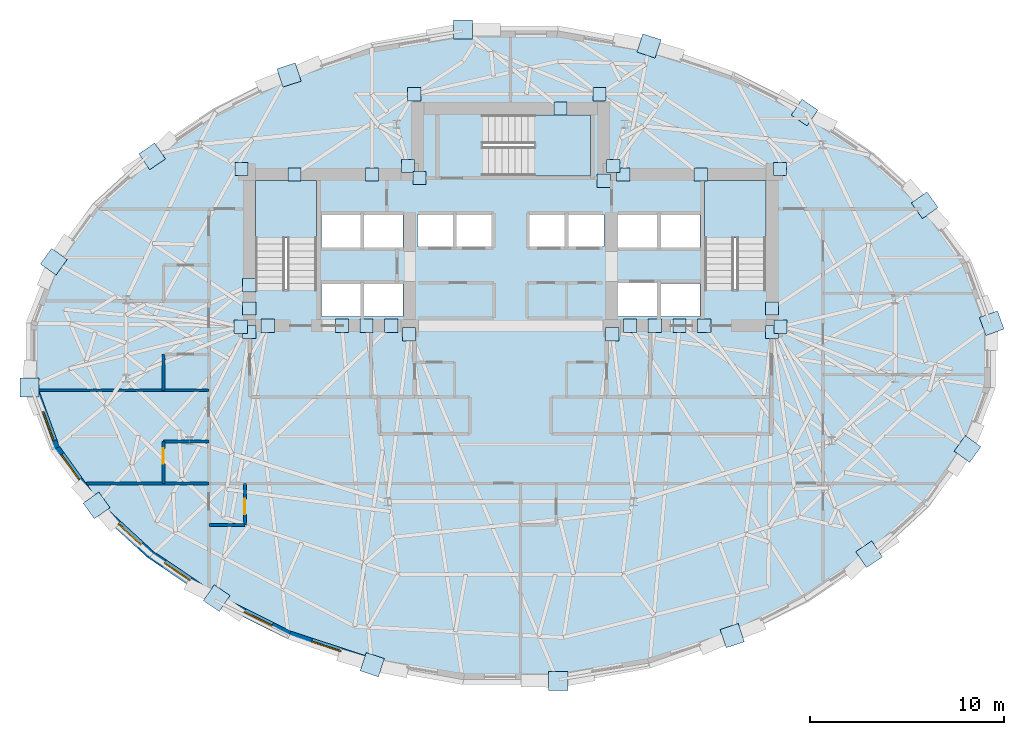
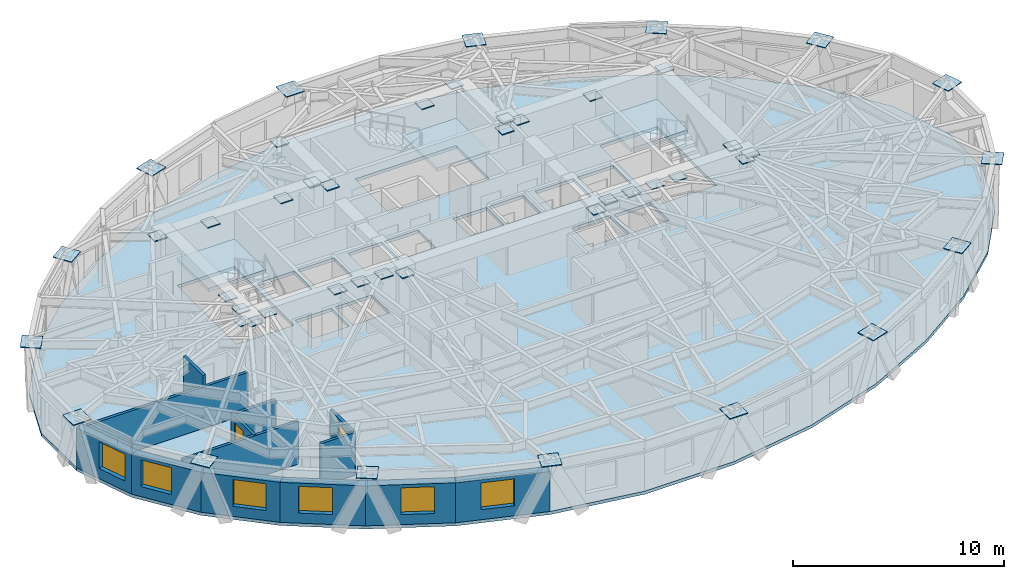
# One storey, part 5 of 14: 46 plates, 13 walls, 6 windows, 4 slabs, 2 doors, 8 openings, 3 elements without a shape of their own.
"""IFC4 building model written with IfcOpenShell, lengths in metres."""

from ifc_helpers import new_model, si_unit, direction, frame, frame_2d, origin, origin_2d, place, context, subcontext, project, spatial, polyline, rectangle, outline, extrude, material, layer, layer_set, type_object, element, fill, aggregate, save


model = new_model("IFC4")

# Units and contexts
model_context = context("Model", 3, precision=1e-05, world=origin(), true_north=direction((0.0, 1.0)))
body_context = subcontext(model_context, "Body", "Model", "MODEL_VIEW")
ifc_project = project(units=[si_unit("LENGTHUNIT", "METRE"), si_unit("AREAUNIT", "SQUARE_METRE"), si_unit("VOLUMEUNIT", "CUBIC_METRE"), si_unit("PLANEANGLEUNIT", "RADIAN"), si_unit("MASSUNIT", "GRAM", prefix="KILO")], contexts=[model_context])

# Site, building, storey
site_placement = place(None, origin())
site = spatial("IfcSite", under=ifc_project, at=site_placement, CompositionType="ELEMENT")
building_placement = place(site_placement, origin())
building = spatial("IfcBuilding", under=site, at=building_placement, Name="Keldmark Tower", CompositionType="ELEMENT")
storey_placement = place(building_placement, frame((0.0, 0.0, 172.60009765625)))
storey = spatial("IfcBuildingStorey", under=building, at=storey_placement, Name="L47", CompositionType="ELEMENT", Elevation=172.60009765625)

# Plates
ifc_material_1 = material(Name="Steel ASTM A572 Grade 50", Category="steel")
ifc_layer_1 = layer(ifc_material_1, 0.06005859375)
ifc_layer_set_1 = layer_set([ifc_layer_1], Name="Steel ASTM A572 Grade 50")
plate_type_1 = type_object("IfcPlateType", Name="Belt Truss Kink Node Assembly KN01 60 mm", PredefinedType="USERDEFINED", material=ifc_layer_set_1)
for number, where, z_axis, x_axis, name in (
    (1, (13.91162109375, 1.473388671875, 2.72412109375), (0.0, 0.0, 1.0), (1.0, 0.0, 0.0), "L47 Core Wall Cast-In Embed Plate 1378"),
    (2, (13.878173828125, 9.608154296875, 2.72412109375), (0.0, 0.0, 1.0), (1.0, 0.0, 0.0), "L47 Core Wall Cast-In Embed Plate 1379"),
    (3, (5.28515625, 9.758544921875, 2.72412109375), (0.0, 0.0, 1.0), (1.0, 0.0, 0.0), "L47 Core Wall Cast-In Embed Plate 1380"),
    (4, (-5.28515625, 9.758544921875, 2.72412109375), (0.0, 0.0, 1.0), (1.0, 0.0, 0.0), "L47 Core Wall Cast-In Embed Plate 1381"),
    (5, (-13.878173828125, 9.608154296875, 2.72412109375), (0.0, 0.0, 1.0), (1.0, 0.0, 0.0), "L47 Core Wall Cast-In Embed Plate 1382"),
    (6, (-13.91162109375, 1.473388671875, 2.72412109375), (0.0, 0.0, 1.0), (1.0, 0.0, 0.0), "L47 Core Wall Cast-In Embed Plate 1383"),
    (7, (-5.24072265625, 1.08251953125, 2.72412109375), (0.0, 0.0, 1.0), (1.0, 0.0, 0.0), "L47 Core Wall Cast-In Embed Plate 1384"),
    (8, (5.24072265625, 1.08251953125, 2.72412109375), (0.0, 0.0, 1.0), (1.0, 0.0, 0.0), "L47 Core Wall Cast-In Embed Plate 1385"),
    (9, (4.800048828125, 9.0, 2.72412109375), (0.0, 0.0, 1.0), (1.0, 0.0, 0.0), "L47 Core Wall Cast-In Embed Plate 1386"),
    (10, (-4.699951171875, 9.139892578125, 2.72412109375), (0.0, 0.0, 1.0), (1.0, 0.0, 0.0), "L47 Core Wall Cast-In Embed Plate 1387"),
    (11, (-13.47509765625, 1.199951171875, 2.72412109375), (0.0, 0.0, 1.0), (1.0, 0.0, 0.0), "L47 Core Wall Cast-In Embed Plate 1388"),
    (12, (-7.425048828125, 1.52490234375, 2.72412109375), (0.0, 0.0, 1.0), (1.0, 0.0, 0.0), "L47 Core Wall Cast-In Embed Plate 1389"),
    (13, (7.425048828125, 1.52490234375, 2.72412109375), (0.0, 0.0, 1.0), (1.0, 0.0, 0.0), "L47 Core Wall Cast-In Embed Plate 1390"),
    (14, (13.47509765625, 1.199951171875, 2.72412109375), (0.0, 0.0, 1.0), (1.0, 0.0, 0.0), "L47 Core Wall Cast-In Embed Plate 1391"),
    (15, (-12.52490234375, 1.52490234375, 2.72412109375), (0.0, 0.0, 1.0), (1.0, 0.0, 0.0), "L47 Core Wall Cast-In Embed Plate 1392"),
    (16, (13.47509765625, 2.406982421875, 2.72412109375), (0.0, 0.0, 1.0), (1.0, 0.0, 0.0), "L47 Core Wall Cast-In Embed Plate 1393"),
    (17, (5.80712890625, 9.324951171875, 2.72412109375), (0.0, 0.0, 1.0), (1.0, 0.0, 0.0), "L47 Core Wall Cast-In Embed Plate 1394"),
    (18, (4.58544921875, 13.461181640625, 2.72412109375), (0.0, 0.0, 1.0), (1.0, 0.0, 0.0), "L47 Core Wall Cast-In Embed Plate 1395"),
    (19, (9.8037109375, 9.324951171875, 2.72412109375), (0.0, 0.0, 1.0), (1.0, 0.0, 0.0), "L47 Core Wall Cast-In Embed Plate 1396"),
    (20, (-4.972412109375, 13.461181640625, 2.72412109375), (0.0, 0.0, 1.0), (1.0, 0.0, 0.0), "L47 Core Wall Cast-In Embed Plate 1397"),
    (21, (-11.1357421875, 9.324951171875, 2.72412109375), (0.0, 0.0, 1.0), (1.0, 0.0, 0.0), "L47 Core Wall Cast-In Embed Plate 1398"),
    (22, (-7.139404296875, 9.324951171875, 2.72412109375), (0.0, 0.0, 1.0), (1.0, 0.0, 0.0), "L47 Core Wall Cast-In Embed Plate 1399"),
    (23, (-13.47509765625, 2.406982421875, 2.72412109375), (0.0, 0.0, 1.0), (1.0, 0.0, 0.0), "L47 Core Wall Cast-In Embed Plate 1400"),
    (24, (-13.47509765625, 3.6142578125, 2.72412109375), (0.0, 0.0, 1.0), (1.0, 0.0, 0.0), "L47 Core Wall Cast-In Embed Plate 1401"),
    (25, (-6.14990234375, 1.52490234375, 2.72412109375), (0.0, 0.0, 1.0), (1.0, 0.0, 0.0), "L47 Core Wall Cast-In Embed Plate 1402"),
    (26, (-8.699951171875, 1.52490234375, 2.72412109375), (0.0, 0.0, 1.0), (1.0, 0.0, 0.0), "L47 Core Wall Cast-In Embed Plate 1403"),
    (27, (8.699951171875, 1.52490234375, 2.72412109375), (0.0, 0.0, 1.0), (1.0, 0.0, 0.0), "L47 Core Wall Cast-In Embed Plate 1404"),
    (28, (6.14990234375, 1.52490234375, 2.72412109375), (0.0, 0.0, 1.0), (1.0, 0.0, 0.0), "L47 Core Wall Cast-In Embed Plate 1405"),
    (29, (9.97509765625, 1.52490234375, 2.72412109375), (0.0, 0.0, 1.0), (1.0, 0.0, 0.0), "L47 Core Wall Cast-In Embed Plate 1406"),
    (30, (2.5625, 12.72509765625, 2.72412109375), (0.0, 0.0, 1.0), (1.0, 0.0, 0.0), "L47 Core Wall Cast-In Embed Plate 1407"),
):
    element("IfcPlate", number, at=place(storey_placement, frame(where, z_axis=z_axis, x_axis=x_axis)), inside=storey, type_object=plate_type_1, Name=name, ObjectType="CAP PLATE", PredefinedType="USERDEFINED", context=body_context, shape_type="SweptSolid", body=[
        extrude(rectangle(XDim=0.679931640625, YDim=0.679931640625, at=origin_2d()), origin(), (0.0, 0.0, 1.0), 0.054931640625),
    ])
ifc_material_2 = material(Name="Steel ASTM A572 Grade 50", Category="steel")
ifc_layer_2 = layer(ifc_material_2, 0.044921875)
ifc_layer_set_2 = layer_set([ifc_layer_2], Name="Steel ASTM A572 Grade 50")
plate_type_2 = type_object("IfcPlateType", Name="Diagrid Node Assembly DN04 45 mm", PredefinedType="USERDEFINED", material=ifc_layer_set_2)
for number, where, z_axis, x_axis, name in (
    (31, (24.7958984375, 1.653564453125, 2.87744140625), (0.0, 0.0, 1.0), (-0.342020143326, 0.939692620786, 0.0), "L47 Diagrid Node Assembly 01"),
    (32, (21.343017578125, 7.73681640625, 2.87744140625), (0.0, 0.0, 1.0), (-0.581697151818, 0.813405448449, 0.0), "L47 Diagrid Node Assembly 02"),
    (33, (15.149658203125, 12.51416015625, 2.87744140625), (0.0, 0.0, 1.0), (-0.827766671236, 0.56107248907, 0.0), "L47 Diagrid Node Assembly 04"),
    (34, (7.131103515625, 15.947021484375, 2.87744140625), (0.0, 0.0, 1.0), (-0.950026549782, 0.312169112355, 0.0), "L47 Diagrid Node Assembly 06"),
    (35, (-2.4541015625, 16.7900390625, 2.87744140625), (0.0, 0.0, 1.0), (-1.0, 0.0, 0.0), "L47 Diagrid Node Assembly 08"),
    (36, (-11.42138671875, 14.449951171875, 2.87744140625), (0.0, 0.0, 1.0), (-0.950026549782, -0.312169112355, 0.0), "L47 Diagrid Node Assembly 10"),
    (37, (-18.478271484375, 10.2548828125, 2.87744140625), (0.0, 0.0, 1.0), (-0.827766671236, -0.56107248907, 0.0), "L47 Diagrid Node Assembly 12"),
    (38, (-23.548828125, 4.8251953125, 2.87744140625), (0.0, 0.0, 1.0), (-0.581697151818, -0.813405448449, 0.0), "L47 Diagrid Node Assembly 14"),
    (39, (-24.7958984375, -1.665283203125, 2.87744140625), (0.0, 0.0, 1.0), (0.0, -1.0, 0.0), "L47 Diagrid Node Assembly 16"),
    (40, (-21.343017578125, -7.73681640625, 2.87744140625), (0.0, 0.0, 1.0), (0.581697151818, -0.813405448449, 0.0), "L47 Diagrid Node Assembly 18"),
    (41, (-15.149658203125, -12.51416015625, 2.87744140625), (0.0, 0.0, 1.0), (0.827766671236, -0.56107248907, 0.0), "L47 Diagrid Node Assembly 20"),
    (42, (-7.131103515625, -15.947021484375, 2.87744140625), (0.0, 0.0, 1.0), (0.950026549782, -0.312169112355, 0.0), "L47 Diagrid Node Assembly 22"),
    (43, (2.4541015625, -16.7900390625, 2.87744140625), (0.0, 0.0, 1.0), (1.0, 0.0, 0.0), "L47 Diagrid Node Assembly 24"),
    (44, (11.42138671875, -14.449951171875, 2.87744140625), (0.0, 0.0, 1.0), (0.950026549782, 0.312169112355, 0.0), "L47 Diagrid Node Assembly 26"),
    (45, (18.478271484375, -10.2548828125, 2.87744140625), (0.0, 0.0, 1.0), (0.827766671236, 0.56107248907, 0.0), "L47 Diagrid Node Assembly 28"),
    (46, (23.548828125, -4.8251953125, 2.87744140625), (0.0, 0.0, 1.0), (0.581697151818, 0.813405448449, 0.0), "L47 Diagrid Node Assembly 30"),
):
    element("IfcPlate", number, at=place(storey_placement, frame(where, z_axis=z_axis, x_axis=x_axis)), inside=storey, type_object=plate_type_2, Name=name, ObjectType="GUSSET", PredefinedType="USERDEFINED", context=body_context, shape_type="SweptSolid", body=[
        extrude(rectangle(XDim=0.989990234375, YDim=0.989990234375, at=origin_2d()), origin(), (0.0, 0.0, 1.0), 0.044921875),
    ])

# Slab
ifc_material_3 = material(Name="Concrete C35/45", Category="concrete")
ifc_layer_3 = layer(ifc_material_3, 0.179931640625)
ifc_layer_set_3 = layer_set([ifc_layer_3], Name="Concrete C35/45")
slab_type_1 = type_object("IfcSlabType", Name="Hotel and Residential Slab 180 mm", PredefinedType="FLOOR", material=ifc_layer_set_3)
slab_1_placement = place(storey_placement, frame((0.0, 0.0, -0.18017578125)))
element("IfcSlab", 47, at=slab_1_placement, inside=storey, type_object=slab_type_1, Name="L47 Composite Structural Floor Slab", PredefinedType="FLOOR", context=body_context, shape_type="SweptSolid", body=[
    extrude(outline(polyline([(24.833251953125, 1.657958984375), (23.66552734375, 4.866455078125), (21.559326171875, 7.81201171875), (18.724609375, 10.417236328125), (15.366943359375, 12.693359375), (11.523681640625, 14.614990234375), (7.178955078125, 16.042724609375), (2.44580078125, 16.834228515625), (-2.44580078125, 16.834228515625), (-7.178955078125, 16.042724609375), (-11.523681640625, 14.614990234375), (-15.366943359375, 12.693359375), (-18.724609375, 10.417236328125), (-21.559326171875, 7.81201171875), (-23.66552734375, 4.866455078125), (-24.833251953125, 1.657958984375), (-24.833251953125, -1.657958984375), (-23.66552734375, -4.866455078125), (-21.559326171875, -7.81201171875), (-18.724609375, -10.417236328125), (-15.366943359375, -12.693359375), (-11.523681640625, -14.614990234375), (-7.178955078125, -16.042724609375), (-2.44580078125, -16.834228515625), (2.44580078125, -16.834228515625), (7.178955078125, -16.042724609375), (11.523681640625, -14.614990234375), (15.366943359375, -12.693359375), (18.724609375, -10.417236328125), (21.559326171875, -7.81201171875), (23.66552734375, -4.866455078125), (24.833251953125, -1.657958984375), (24.833251953125, 1.657958984375)]), holes=[polyline([(-10.0, 3.385009765625), (-10.0, 9.0), (-13.14990234375, 9.0), (-13.14990234375, 3.385009765625), (-10.0, 3.385009765625)]), polyline([(13.14990234375, 3.385009765625), (13.14990234375, 9.0), (10.0, 9.0), (10.0, 3.385009765625), (13.14990234375, 3.385009765625)]), polyline([(-1.43994140625, 9.25), (4.10498046875, 9.25), (4.10498046875, 12.39990234375), (-1.43994140625, 12.39990234375), (-1.43994140625, 9.25)]), polyline([(-9.75, 2.0), (-7.75, 2.0), (-7.75, 3.699951171875), (-9.75, 3.699951171875), (-9.75, 2.0)]), polyline([(7.75, 2.0), (9.75, 2.0), (9.75, 3.699951171875), (7.75, 3.699951171875), (7.75, 2.0)]), polyline([(5.449951171875, 2.0), (7.550048828125, 2.0), (7.550048828125, 3.75), (5.449951171875, 3.75), (5.449951171875, 2.0)]), polyline([(-4.800048828125, 5.60009765625), (-2.949951171875, 5.60009765625), (-2.949951171875, 7.25), (-4.800048828125, 7.25), (-4.800048828125, 5.60009765625)]), polyline([(-2.800048828125, 5.60009765625), (-0.949951171875, 5.60009765625), (-0.949951171875, 7.25), (-2.800048828125, 7.25), (-2.800048828125, 5.60009765625)]), polyline([(0.949951171875, 5.60009765625), (2.800048828125, 5.60009765625), (2.800048828125, 7.25), (0.949951171875, 7.25), (0.949951171875, 5.60009765625)]), polyline([(2.949951171875, 5.60009765625), (4.800048828125, 5.60009765625), (4.800048828125, 7.25), (2.949951171875, 7.25), (2.949951171875, 5.60009765625)]), polyline([(-9.75, 5.550048828125), (-7.75, 5.550048828125), (-7.75, 7.25), (-9.75, 7.25), (-9.75, 5.550048828125)]), polyline([(-7.550048828125, 5.550048828125), (-5.550048828125, 5.550048828125), (-5.550048828125, 7.25), (-7.550048828125, 7.25), (-7.550048828125, 5.550048828125)]), polyline([(-7.550048828125, 2.0), (-5.550048828125, 2.0), (-5.550048828125, 3.699951171875), (-7.550048828125, 3.699951171875), (-7.550048828125, 2.0)]), polyline([(5.449951171875, 5.550048828125), (7.550048828125, 5.550048828125), (7.550048828125, 7.25), (5.449951171875, 7.25), (5.449951171875, 5.550048828125)]), polyline([(7.75, 5.550048828125), (9.75, 5.550048828125), (9.75, 7.25), (7.75, 7.25), (7.75, 5.550048828125)])]), origin(), (0.0, 0.0, 1.0), 0.18017578125),
])

# Stair, slab
ifc_material_4 = material(Name="Concrete C40/50", Category="concrete")
stair_type = type_object("IfcStairType", Name="Precast Concrete Core Exit Stair", PredefinedType="HALF_TURN_STAIR", material=ifc_material_4)
stair_1_placement = place(storey_placement, origin())
stair_1 = element("IfcStair", 48, at=stair_1_placement, inside=storey, type_object=stair_type, Name="L47 Exit Stair ST1", PredefinedType="HALF_TURN_STAIR")
ifc_material_5 = material(Name="Concrete C40/50", Category="concrete")
ifc_layer_4 = layer(ifc_material_5, 0.199951171875)
ifc_layer_set_4 = layer_set([ifc_layer_4], Name="Concrete C40/50")
slab_type_2 = type_object("IfcSlabType", Name="Reinforced Concrete Stair Landing 200 mm", PredefinedType="LANDING", material=ifc_layer_set_4)
slab_2_placement = place(storey_placement, frame((0.0, 0.0, 1.39990234375)))
slab_2 = element("IfcSlab", 49, at=slab_2_placement, type_object=slab_type_2, Name="ST1 landing 1", PredefinedType="LANDING", context=body_context, shape_type="SweptSolid", body=[
    extrude(outline(polyline([(-10.0, 6.050048828125), (-10.0, 9.0), (-13.14990234375, 9.0), (-13.14990234375, 6.050048828125), (-10.0, 6.050048828125)])), origin(), (0.0, 0.0, 1.0), 0.199951171875),
])
aggregate(stair_1, [slab_2])

stair_2_placement = place(storey_placement, origin())
stair_2 = element("IfcStair", 50, at=stair_2_placement, inside=storey, type_object=stair_type, Name="L47 Exit Stair ST2", PredefinedType="HALF_TURN_STAIR")
slab_3_placement = place(storey_placement, frame((0.0, 0.0, 1.39990234375)))
slab_3 = element("IfcSlab", 51, at=slab_3_placement, type_object=slab_type_2, Name="ST2 landing 1", PredefinedType="LANDING", context=body_context, shape_type="SweptSolid", body=[
    extrude(outline(polyline([(13.14990234375, 6.050048828125), (13.14990234375, 9.0), (10.0, 9.0), (10.0, 6.050048828125), (13.14990234375, 6.050048828125)])), origin(), (0.0, 0.0, 1.0), 0.199951171875),
])
aggregate(stair_2, [slab_3])

stair_3_placement = place(storey_placement, origin())
stair_3 = element("IfcStair", 52, at=stair_3_placement, inside=storey, type_object=stair_type, Name="L47 Exit Stair ST3", PredefinedType="HALF_TURN_STAIR")
slab_4_placement = place(storey_placement, frame((0.0, 0.0, 1.39990234375)))
slab_4 = element("IfcSlab", 53, at=slab_4_placement, type_object=slab_type_2, Name="ST3 landing 1", PredefinedType="LANDING", context=body_context, shape_type="SweptSolid", body=[
    extrude(outline(polyline([(1.22509765625, 9.25), (4.10498046875, 9.25), (4.10498046875, 12.39990234375), (1.22509765625, 12.39990234375), (1.22509765625, 9.25)])), origin(), (0.0, 0.0, 1.0), 0.199951171875),
])
aggregate(stair_3, [slab_4])

# Wall, opening, window
ifc_material_6 = material(Name="Ironspot Manganese Brick and Kasota Buff Limestone Spandrel Assembly", Category="masonry")
ifc_layer_5 = layer(ifc_material_6, 0.43994140625)
ifc_layer_set_5 = layer_set([ifc_layer_5], Name="Ironspot Manganese Brick and Kasota Buff Limestone Spandrel Assembly")
wall_type_1 = type_object("IfcWallType", Name="Tower Brick Pier and Spandrel Wall 440 mm", PredefinedType="STANDARD", material=ifc_layer_set_5)
wall_1_placement = place(storey_placement, frame((-23.458984375, -4.791259765625, 0.0), z_axis=(0.0, 0.0, 1.0), x_axis=(-0.341938259916, 0.93972241987, 0.0)))
wall_1 = element("IfcWall", 54, at=wall_1_placement, inside=storey, type_object=wall_type_1, Name="L47 Exterior Brick and Spandrel Wall 17", PredefinedType="STANDARD", context=body_context, shape_type="SweptSolid", body=[
    extrude(rectangle(XDim=3.414306640625, YDim=0.43994140625, at=frame_2d((1.70703125, 0.0))), origin(), (0.0, 0.0, 1.0), 2.31494140625),
])
opening_1_placement = place(wall_1_placement, frame((0.39501953125, 0.0, 0.580078125)))
opening_1 = element("IfcOpeningElement", 55, at=opening_1_placement, cuts=wall_1, Name="Opening W-04", PredefinedType="OPENING", context=body_context, shape_type="SweptSolid", body=[
    extrude(rectangle(XDim=1.60009765625, YDim=1.550048828125, at=frame_2d((0.800048828125, 0.77490234375))), frame((0.0, 0.22998046875, 0.0), z_axis=(0.0, -1.0, 0.0), x_axis=(1.0, 0.0, 0.0)), (0.0, 0.0, 1.0), 0.4599609375),
])
ifc_material_7 = material(Name="Thermally Broken Anodized Aluminum and Triple Low-E Argon Glazing", Category="aluminium")
window_type = type_object("IfcWindowType", Name="Hotel Deep-Set Operable Window 1600x1550", PartitioningType="DOUBLE_PANEL_HORIZONTAL", PredefinedType="WINDOW", material=ifc_material_7)
window_1_placement = place(opening_1_placement, origin())
window_1 = element("IfcWindow", 56, at=window_1_placement, inside=storey, type_object=window_type, Name="L47 Deep-Set Window 17", OverallHeight=1.550048828125, OverallWidth=1.60009765625, PartitioningType="SINGLE_PANEL", PredefinedType="WINDOW", context=body_context, shape_type="SweptSolid", body=[
    extrude(rectangle(XDim=1.60009765625, YDim=1.550048828125, at=frame_2d((0.800048828125, 0.77490234375))), frame((0.0, -0.010009765625, 0.0), z_axis=(0.0, -1.0, 0.0), x_axis=(1.0, 0.0, 0.0)), (0.0, 0.0, 1.0), 0.06005859375),
])
fill(opening_1, window_1)

wall_2_placement = place(storey_placement, frame((-21.38037109375, -7.683837890625, 0.0), z_axis=(0.0, 0.0, 1.0), x_axis=(-0.581678195571, 0.813419004448, 0.0)))
wall_2 = element("IfcWall", 57, at=wall_2_placement, inside=storey, type_object=wall_type_1, Name="L47 Exterior Brick and Spandrel Wall 18", PredefinedType="STANDARD", context=body_context, shape_type="SweptSolid", body=[
    extrude(rectangle(XDim=3.620849609375, YDim=0.43994140625, at=frame_2d((1.810546875, 0.0))), origin(), (0.0, 0.0, 1.0), 2.31494140625),
])
opening_2_placement = place(wall_2_placement, frame((1.5263671875, 0.0, 0.580078125)))
opening_2 = element("IfcOpeningElement", 58, at=opening_2_placement, cuts=wall_2, Name="Opening W-04", PredefinedType="OPENING", context=body_context, shape_type="SweptSolid", body=[
    extrude(rectangle(XDim=1.60009765625, YDim=1.550048828125, at=frame_2d((0.800048828125, 0.77490234375))), frame((0.0, 0.22998046875, 0.0), z_axis=(0.0, -1.0, 0.0), x_axis=(1.0, 0.0, 0.0)), (0.0, 0.0, 1.0), 0.4599609375),
])
window_2_placement = place(opening_2_placement, origin())
window_2 = element("IfcWindow", 59, at=window_2_placement, inside=storey, type_object=window_type, Name="L47 Deep-Set Window 18", OverallHeight=1.550048828125, OverallWidth=1.60009765625, PartitioningType="SINGLE_PANEL", PredefinedType="WINDOW", context=body_context, shape_type="SweptSolid", body=[
    extrude(rectangle(XDim=1.60009765625, YDim=1.550048828125, at=frame_2d((0.800048828125, 0.77490234375))), frame((0.0, -0.010009765625, 0.0), z_axis=(0.0, -1.0, 0.0), x_axis=(1.0, 0.0, 0.0)), (0.0, 0.0, 1.0), 0.06005859375),
])
fill(opening_2, window_2)

wall_3_placement = place(storey_placement, frame((-18.57568359375, -10.255126953125, 0.0), z_axis=(0.0, 0.0, 1.0), x_axis=(-0.736282263947, 0.676674536093, 0.0)))
wall_3 = element("IfcWall", 60, at=wall_3_placement, inside=storey, type_object=wall_type_1, Name="L47 Exterior Brick and Spandrel Wall 19", PredefinedType="STANDARD", context=body_context, shape_type="SweptSolid", body=[
    extrude(rectangle(XDim=3.85009765625, YDim=0.43994140625, at=frame_2d((1.925048828125, 0.0))), origin(), (0.0, 0.0, 1.0), 2.31494140625),
])
opening_3_placement = place(wall_3_placement, frame((0.68701171875, 0.0, 0.580078125)))
opening_3 = element("IfcOpeningElement", 61, at=opening_3_placement, cuts=wall_3, Name="Opening W-04", PredefinedType="OPENING", context=body_context, shape_type="SweptSolid", body=[
    extrude(rectangle(XDim=1.60009765625, YDim=1.550048828125, at=frame_2d((0.800048828125, 0.77490234375))), frame((0.0, 0.22998046875, 0.0), z_axis=(0.0, -1.0, 0.0), x_axis=(1.0, 0.0, 0.0)), (0.0, 0.0, 1.0), 0.4599609375),
])
window_3_placement = place(opening_3_placement, origin())
window_3 = element("IfcWindow", 62, at=window_3_placement, inside=storey, type_object=window_type, Name="L47 Deep-Set Window 19", OverallHeight=1.550048828125, OverallWidth=1.60009765625, PartitioningType="SINGLE_PANEL", PredefinedType="WINDOW", context=body_context, shape_type="SweptSolid", body=[
    extrude(rectangle(XDim=1.60009765625, YDim=1.550048828125, at=frame_2d((0.800048828125, 0.77490234375))), frame((0.0, -0.010009765625, 0.0), z_axis=(0.0, -1.0, 0.0), x_axis=(1.0, 0.0, 0.0)), (0.0, 0.0, 1.0), 0.06005859375),
])
fill(opening_3, window_3)

wall_4_placement = place(storey_placement, frame((-15.243408203125, -12.51123046875, 0.0), z_axis=(0.0, 0.0, 1.0), x_axis=(-0.827757295322, 0.561086321382, 0.0)))
wall_4 = element("IfcWall", 63, at=wall_4_placement, inside=storey, type_object=wall_type_1, Name="L47 Exterior Brick and Spandrel Wall 20", PredefinedType="STANDARD", context=body_context, shape_type="SweptSolid", body=[
    extrude(rectangle(XDim=4.056640625, YDim=0.43994140625, at=frame_2d((2.0283203125, 0.0))), origin(), (0.0, 0.0, 1.0), 2.31494140625),
])
opening_4_placement = place(wall_4_placement, frame((1.571044921875, 0.0, 0.580078125)))
opening_4 = element("IfcOpeningElement", 64, at=opening_4_placement, cuts=wall_4, Name="Opening W-04", PredefinedType="OPENING", context=body_context, shape_type="SweptSolid", body=[
    extrude(rectangle(XDim=1.60009765625, YDim=1.550048828125, at=frame_2d((0.800048828125, 0.77490234375))), frame((0.0, 0.22998046875, 0.0), z_axis=(0.0, -1.0, 0.0), x_axis=(1.0, 0.0, 0.0)), (0.0, 0.0, 1.0), 0.4599609375),
])
window_4_placement = place(opening_4_placement, origin())
window_4 = element("IfcWindow", 65, at=window_4_placement, inside=storey, type_object=window_type, Name="L47 Deep-Set Window 20", OverallHeight=1.550048828125, OverallWidth=1.60009765625, PartitioningType="SINGLE_PANEL", PredefinedType="WINDOW", context=body_context, shape_type="SweptSolid", body=[
    extrude(rectangle(XDim=1.60009765625, YDim=1.550048828125, at=frame_2d((0.800048828125, 0.77490234375))), frame((0.0, -0.010009765625, 0.0), z_axis=(0.0, -1.0, 0.0), x_axis=(1.0, 0.0, 0.0)), (0.0, 0.0, 1.0), 0.06005859375),
])
fill(opening_4, window_4)

wall_5_placement = place(storey_placement, frame((-11.42529296875, -14.418212890625, 0.0), z_axis=(0.0, 0.0, 1.0), x_axis=(-0.894427191, 0.4472135955, 0.0)))
wall_5 = element("IfcWall", 66, at=wall_5_placement, inside=storey, type_object=wall_type_1, Name="L47 Exterior Brick and Spandrel Wall 21", PredefinedType="STANDARD", context=body_context, shape_type="SweptSolid", body=[
    extrude(rectangle(XDim=4.296875, YDim=0.43994140625, at=frame_2d((2.1484375, 0.0))), origin(), (0.0, 0.0, 1.0), 2.31494140625),
])
opening_5_placement = place(wall_5_placement, frame((0.998779296875, 0.0, 0.580078125)))
opening_5 = element("IfcOpeningElement", 67, at=opening_5_placement, cuts=wall_5, Name="Opening W-04", PredefinedType="OPENING", context=body_context, shape_type="SweptSolid", body=[
    extrude(rectangle(XDim=1.60009765625, YDim=1.550048828125, at=frame_2d((0.800048828125, 0.77490234375))), frame((0.0, 0.22998046875, 0.0), z_axis=(0.0, -1.0, 0.0), x_axis=(1.0, 0.0, 0.0)), (0.0, 0.0, 1.0), 0.4599609375),
])
window_5_placement = place(opening_5_placement, origin())
window_5 = element("IfcWindow", 68, at=window_5_placement, inside=storey, type_object=window_type, Name="L47 Deep-Set Window 21", OverallHeight=1.550048828125, OverallWidth=1.60009765625, PartitioningType="SINGLE_PANEL", PredefinedType="WINDOW", context=body_context, shape_type="SweptSolid", body=[
    extrude(rectangle(XDim=1.60009765625, YDim=1.550048828125, at=frame_2d((0.800048828125, 0.77490234375))), frame((0.0, -0.010009765625, 0.0), z_axis=(0.0, -1.0, 0.0), x_axis=(1.0, 0.0, 0.0)), (0.0, 0.0, 1.0), 0.06005859375),
])
fill(opening_5, window_5)

wall_6_placement = place(storey_placement, frame((-7.110107421875, -15.833740234375, 0.0), z_axis=(0.0, 0.0, 1.0), x_axis=(-0.950025190485, 0.312173249084, 0.0)))
wall_6 = element("IfcWall", 69, at=wall_6_placement, inside=storey, type_object=wall_type_1, Name="L47 Exterior Brick and Spandrel Wall 22", PredefinedType="STANDARD", context=body_context, shape_type="SweptSolid", body=[
    extrude(rectangle(XDim=4.573486328125, YDim=0.43994140625, at=frame_2d((2.28662109375, 0.0))), origin(), (0.0, 0.0, 1.0), 2.31494140625),
])
opening_6_placement = place(wall_6_placement, frame((1.734130859375, 0.0, 0.580078125)))
opening_6 = element("IfcOpeningElement", 70, at=opening_6_placement, cuts=wall_6, Name="Opening W-04", PredefinedType="OPENING", context=body_context, shape_type="SweptSolid", body=[
    extrude(rectangle(XDim=1.60009765625, YDim=1.550048828125, at=frame_2d((0.800048828125, 0.77490234375))), frame((0.0, 0.22998046875, 0.0), z_axis=(0.0, -1.0, 0.0), x_axis=(1.0, 0.0, 0.0)), (0.0, 0.0, 1.0), 0.4599609375),
])
window_6_placement = place(opening_6_placement, origin())
window_6 = element("IfcWindow", 71, at=window_6_placement, inside=storey, type_object=window_type, Name="L47 Deep-Set Window 22", OverallHeight=1.550048828125, OverallWidth=1.60009765625, PartitioningType="SINGLE_PANEL", PredefinedType="WINDOW", context=body_context, shape_type="SweptSolid", body=[
    extrude(rectangle(XDim=1.60009765625, YDim=1.550048828125, at=frame_2d((0.800048828125, 0.77490234375))), frame((0.0, -0.010009765625, 0.0), z_axis=(0.0, -1.0, 0.0), x_axis=(1.0, 0.0, 0.0)), (0.0, 0.0, 1.0), 0.06005859375),
])
fill(opening_6, window_6)

# Wall
ifc_material_8 = material(Name="Moisture-Resistant Gypsum Plumbing Partition", Category="gypsum")
ifc_layer_6 = layer(ifc_material_8, 0.14990234375)
ifc_layer_set_6 = layer_set([ifc_layer_6], Name="Moisture-Resistant Gypsum Plumbing Partition")
wall_type_2 = type_object("IfcWallType", Name="Wet Wall 150 mm", PredefinedType="PLUMBINGWALL", material=ifc_layer_set_6)
wall_7_placement = place(storey_placement, frame((-21.875244140625, -6.60009765625, 0.0), z_axis=(0.0, 0.0, 1.0), x_axis=(1.0, 0.0, 0.0)))
element("IfcWall", 72, at=wall_7_placement, inside=storey, type_object=wall_type_2, Name="L47 Wet Wall 150 mm HW-CAP-S", PredefinedType="PLUMBINGWALL", context=body_context, shape_type="SweptSolid", body=[
    extrude(rectangle(XDim=6.3251953125, YDim=0.14990234375, at=frame_2d((3.16259765625, 0.0))), origin(), (0.0, 0.0, 1.0), 2.472900390625),
])

# Wall, opening, door
wall_8_placement = place(storey_placement, frame((-13.699951171875, -8.75, 0.0), z_axis=(0.0, 0.0, 1.0), x_axis=(0.0, 1.0, 0.0)))
wall_8 = element("IfcWall", 73, at=wall_8_placement, inside=storey, type_object=wall_type_2, Name="L47 Wet Wall 150 mm HB-S1-E", PredefinedType="PLUMBINGWALL", context=body_context, shape_type="SweptSolid", body=[
    extrude(rectangle(XDim=2.14990234375, YDim=0.14990234375, at=frame_2d((1.074951171875, 0.0))), origin(), (0.0, 0.0, 1.0), 2.472900390625),
])
opening_7_placement = place(wall_8_placement, frame((0.550048828125, 0.0, 0.0)))
opening_7 = element("IfcOpeningElement", 74, at=opening_7_placement, cuts=wall_8, Name="Opening D-BT080", PredefinedType="OPENING", context=body_context, shape_type="SweptSolid", body=[
    extrude(rectangle(XDim=0.800048828125, YDim=2.10009765625, at=frame_2d((0.39990234375, 1.050048828125))), frame((0.0, 0.0849609375, 0.0), z_axis=(0.0, -1.0, 0.0), x_axis=(1.0, 0.0, 0.0)), (0.0, 0.0, 1.0), 0.169921875),
])
ifc_material_9 = material(Name="Moisture-Sealed Stained Wood", Category="wood")
door_type = type_object("IfcDoorType", Name="Bathroom Door 800x2100", OperationType="NOTDEFINED", PredefinedType="DOOR", material=ifc_material_9)
door_1_placement = place(opening_7_placement, origin())
door_1 = element("IfcDoor", 75, at=door_1_placement, inside=storey, type_object=door_type, Name="L47 Bathroom Door 800x2100 D-HBS1-L47", OperationType="SINGLE_SWING_RIGHT", OverallHeight=2.10009765625, OverallWidth=0.800048828125, PredefinedType="DOOR", context=body_context, shape_type="SweptSolid", body=[
    extrude(rectangle(XDim=0.800048828125, YDim=2.10009765625, at=frame_2d((0.39990234375, 1.050048828125))), frame((0.0, 0.02490234375, 0.0), z_axis=(0.0, -1.0, 0.0), x_axis=(1.0, 0.0, 0.0)), (0.0, 0.0, 1.0), 0.050048828125),
])
fill(opening_7, door_1)

# Walls
wall_9_placement = place(storey_placement, frame((-15.550048828125, -8.75, 0.0), z_axis=(0.0, 0.0, 1.0), x_axis=(1.0, 0.0, 0.0)))
element("IfcWall", 76, at=wall_9_placement, inside=storey, type_object=wall_type_2, Name="L47 Wet Wall 150 mm HB-S1-S", PredefinedType="PLUMBINGWALL", context=body_context, shape_type="SweptSolid", body=[
    extrude(rectangle(XDim=1.85009765625, YDim=0.14990234375, at=frame_2d((0.925048828125, 0.0))), origin(), (0.0, 0.0, 1.0), 2.472900390625),
])
wall_10_placement = place(storey_placement, frame((-24.3046875, -1.800048828125, 0.0), z_axis=(0.0, 0.0, 1.0), x_axis=(1.0, 0.0, 0.0)))
element("IfcWall", 77, at=wall_10_placement, inside=storey, type_object=wall_type_2, Name="L47 Wet Wall 150 mm HW-DIV-1", PredefinedType="PLUMBINGWALL", context=body_context, shape_type="SweptSolid", body=[
    extrude(rectangle(XDim=8.754638671875, YDim=0.14990234375, at=frame_2d((4.37744140625, 0.0))), origin(), (0.0, 0.0, 1.0), 2.39794921875),
])
wall_11_placement = place(storey_placement, frame((-17.89990234375, -4.449951171875, 0.0), z_axis=(0.0, 0.0, 1.0), x_axis=(1.0, 0.0, 0.0)))
element("IfcWall", 78, at=wall_11_placement, inside=storey, type_object=wall_type_2, Name="L47 Wet Wall 150 mm HB-3-N", PredefinedType="PLUMBINGWALL", context=body_context, shape_type="SweptSolid", body=[
    extrude(rectangle(XDim=2.349853515625, YDim=0.14990234375, at=frame_2d((1.1748046875, 0.0))), origin(), (0.0, 0.0, 1.0), 2.39794921875),
])

# Wall, opening, door
wall_12_placement = place(storey_placement, frame((-17.89990234375, -6.60009765625, 0.0), z_axis=(0.0, 0.0, 1.0), x_axis=(0.0, 1.0, 0.0)))
wall_12 = element("IfcWall", 79, at=wall_12_placement, inside=storey, type_object=wall_type_2, Name="L47 Wet Wall 150 mm HB-3-IN", PredefinedType="PLUMBINGWALL", context=body_context, shape_type="SweptSolid", body=[
    extrude(rectangle(XDim=2.150146484375, YDim=0.14990234375, at=frame_2d((1.0751953125, 0.0))), origin(), (0.0, 0.0, 1.0), 2.472900390625),
])
opening_8_placement = place(wall_12_placement, frame((1.0, 0.0, 0.0)))
opening_8 = element("IfcOpeningElement", 80, at=opening_8_placement, cuts=wall_12, Name="Opening D-BT080", PredefinedType="OPENING", context=body_context, shape_type="SweptSolid", body=[
    extrude(rectangle(XDim=0.800048828125, YDim=2.10009765625, at=frame_2d((0.39990234375, 1.050048828125))), frame((0.0, 0.0849609375, 0.0), z_axis=(0.0, -1.0, 0.0), x_axis=(1.0, 0.0, 0.0)), (0.0, 0.0, 1.0), 0.169921875),
])
door_2_placement = place(opening_8_placement, origin())
door_2 = element("IfcDoor", 81, at=door_2_placement, inside=storey, type_object=door_type, Name="L47 Bathroom Door 800x2100 D-HB-3-L47", OperationType="SINGLE_SWING_LEFT", OverallHeight=2.10009765625, OverallWidth=0.800048828125, PredefinedType="DOOR", context=body_context, shape_type="SweptSolid", body=[
    extrude(rectangle(XDim=0.800048828125, YDim=2.10009765625, at=frame_2d((0.39990234375, 1.050048828125))), frame((0.0, 0.02490234375, 0.0), z_axis=(0.0, -1.0, 0.0), x_axis=(1.0, 0.0, 0.0)), (0.0, 0.0, 1.0), 0.050048828125),
])
fill(opening_8, door_2)

# Wall
wall_13_placement = place(storey_placement, frame((-17.89990234375, -1.800048828125, 0.0), z_axis=(0.0, 0.0, 1.0), x_axis=(0.0, 1.0, 0.0)))
element("IfcWall", 82, at=wall_13_placement, inside=storey, type_object=wall_type_2, Name="L47 Wet Wall 150 mm HB-4-IN", PredefinedType="PLUMBINGWALL", context=body_context, shape_type="SweptSolid", body=[
    extrude(rectangle(XDim=1.85009765625, YDim=0.14990234375, at=frame_2d((0.925048828125, 0.0))), origin(), (0.0, 0.0, 1.0), 3.02001953125),
])

save(model, "model.ifc")
